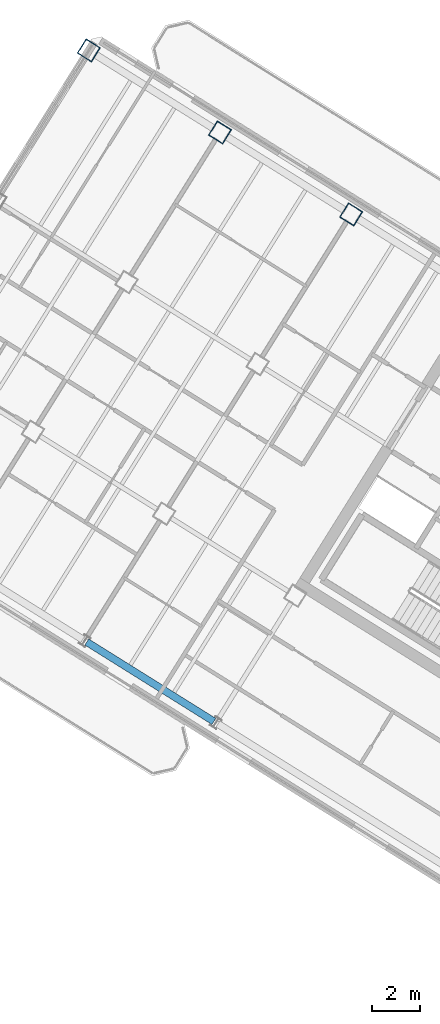
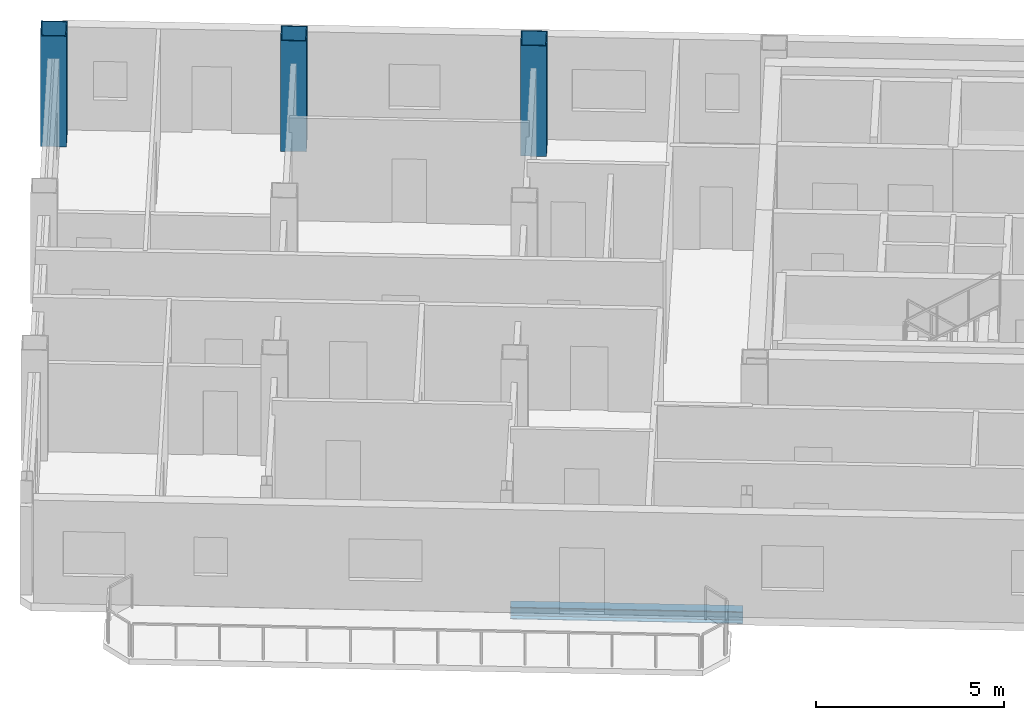
# One storey, part 2 of 17: 3 columns, 1 beam.
"""IFC4 building model written with IfcOpenShell, lengths in metres."""

from ifc_helpers import new_model, si_unit, direction, frame, origin, origin_2d, place, context, subcontext, project, spatial, hollow_rectangle, i_section, extrude, source, transform, mapped, material, material_profile, profile_set, type_object, element, save


model = new_model("IFC4")

# Units and contexts
model_context = context("Model", 3, precision=1e-05, world=origin(), true_north=direction((0.0, 1.0)))
body_context = subcontext(model_context, "Body", "Model", "MODEL_VIEW")
ifc_project = project(units=[si_unit("LENGTHUNIT", "METRE"), si_unit("AREAUNIT", "SQUARE_METRE"), si_unit("VOLUMEUNIT", "CUBIC_METRE"), si_unit("PLANEANGLEUNIT", "RADIAN"), si_unit("MASSUNIT", "GRAM", prefix="KILO")], contexts=[model_context])

# Site, building, storey
site_placement = place(None, origin())
site = spatial("IfcSite", under=ifc_project, at=site_placement, CompositionType="ELEMENT")
building_placement = place(site_placement, origin())
building = spatial("IfcBuilding", under=site, at=building_placement, Name="Tlacorven Tower", CompositionType="ELEMENT")
storey_placement = place(building_placement, frame((0.0, 0.0, 270.0)))
storey = spatial("IfcBuildingStorey", under=building, at=storey_placement, Name="L68", CompositionType="ELEMENT", Elevation=270.0)

# Columns
ifc_material_1 = material(Name="Steel S460M", Category="steel")
ifc_material_profile_1 = material_profile(ifc_material_1, hollow_rectangle(XDim=0.699951171875, YDim=0.699951171875, WallThickness=0.028076171875, at=origin_2d()), Name="BOX 700X700X28")
ifc_profile_set_1 = profile_set([ifc_material_profile_1], Name="Steel S460M")
column_type = type_object("IfcColumnType", Name="COL-TWR-S4", PredefinedType="COLUMN", material=ifc_profile_set_1)
shared_shape_1 = source(origin(), body_context, "Body", "SweptSolid", [
    extrude(hollow_rectangle(XDim=0.699951171875, YDim=0.699951171875, WallThickness=0.028076171875, at=origin_2d()), origin(), (0.0, 0.0, 1.0), 3.60009765625),
])
for number, where, z_axis, x_axis, name in (
    (1, (24.50048828125, 34.642822265625, 0.0), (0.0, 0.0, 1.0), (-0.848048096156, 0.529919264233, 0.0), "L68 column COL-L68-W4-1"),
    (2, (19.072998046875, 38.034423828125, 0.0), (0.0, 0.0, 1.0), (-0.848048096156, 0.529919264233, 0.0), "L68 column COL-L68-W5-1"),
    (3, (13.6455078125, 41.42578125, 0.0), (0.0, 0.0, 1.0), (-0.848048096156, 0.529919264233, 0.0), "L68 column COL-L68-W6-1"),
):
    element("IfcColumn", number, at=place(storey_placement, frame(where, z_axis=z_axis, x_axis=x_axis)), inside=storey, type_object=column_type, Name=name, PredefinedType="COLUMN", context=body_context, shape_type="MappedRepresentation", body=[
        mapped(shared_shape_1, transform((0.0, 0.0, 0.0), scale=1.0)),
    ])

# Beam
ifc_material_2 = material(Name="Steel S355J2", Category="steel")
ifc_material_profile_2 = material_profile(ifc_material_2, i_section(OverallWidth=0.300048828125, OverallDepth=0.389892578125, WebThickness=0.010986328125, FlangeThickness=0.01904296875, at=origin_2d()), Name="HEA 400")
ifc_profile_set_2 = profile_set([ifc_material_profile_2], Name="Steel S355J2")
beam_type = type_object("IfcBeamType", Name="BM-SPN-400", PredefinedType="SPANDREL", material=ifc_profile_set_2)
shared_shape_2 = source(origin(), body_context, "Body", "SweptSolid", [
    extrude(i_section(OverallWidth=0.300048828125, OverallDepth=0.389892578125, WebThickness=0.010986328125, FlangeThickness=0.01904296875, at=origin_2d()), origin(), (0.0, 0.0, 1.0), 6.199951171875),
])
beam_placement = place(storey_placement, frame((18.82080078125, 13.6650390625, -0.445068359375), z_axis=(-0.848051394107, 0.529913986372, 0.0), x_axis=(-0.529913986372, -0.848051394107, 0.0)))
element("IfcBeam", 4, at=beam_placement, inside=storey, type_object=beam_type, Name="L68 beam BM-L68-WL4-3", PredefinedType="SPANDREL", context=body_context, shape_type="MappedRepresentation", body=[
    mapped(shared_shape_2, transform((0.0, 0.0, 0.0), scale=1.0)),
])

save(model, "model.ifc")
